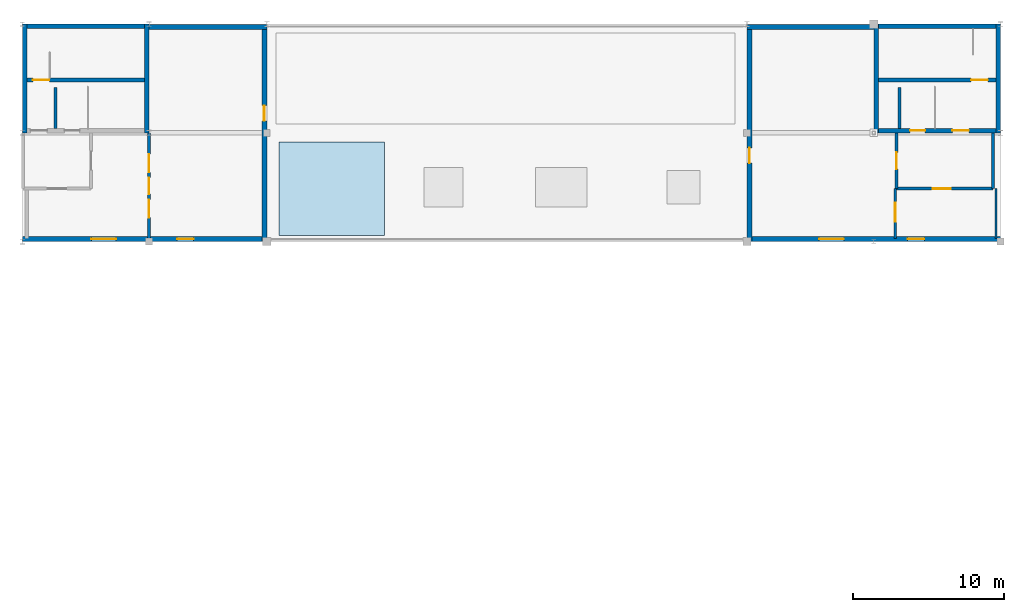
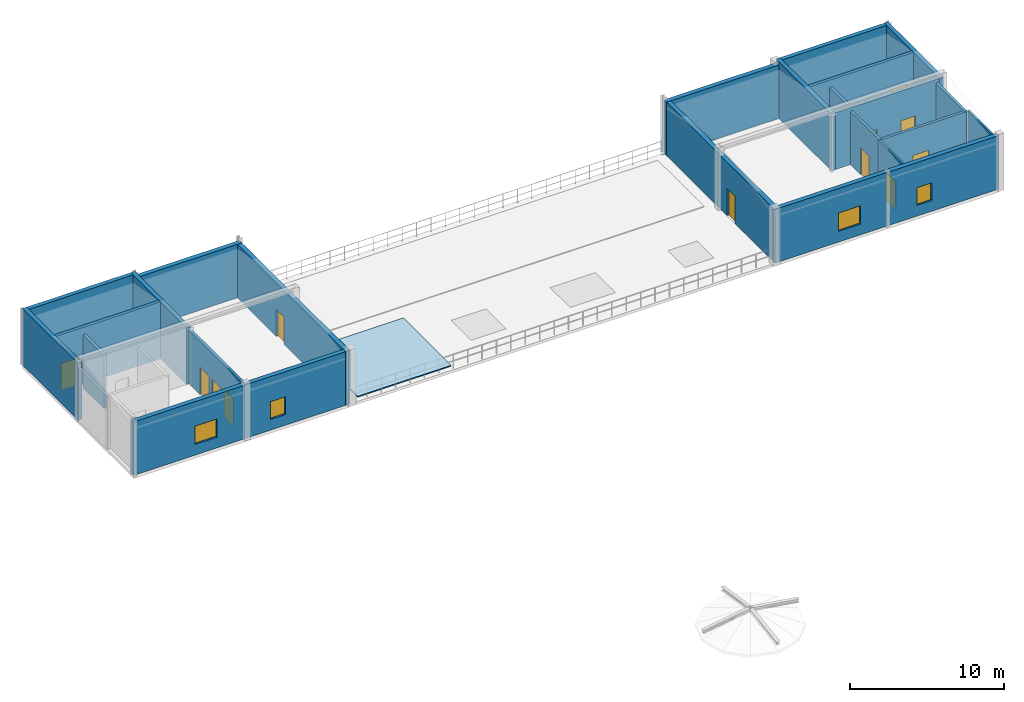
# One storey, part 4 of 5: 23 walls, 12 doors, 4 windows, 1 roof, 16 openings.
"""IFC4 building model written with IfcOpenShell, lengths in metres."""

from ifc_helpers import new_model, si_unit, derived_unit, direction, frame, frame_2d, origin, place, context, subcontext, project, spatial, polyline, rectangle, outline, extrude, material, layer, layer_set, type_object, element, fill, save


model = new_model("IFC4")

# Units and contexts
model_context = context("Model", 3, precision=1e-05, world=origin(), true_north=direction((0.0, 1.0)))
body_context = subcontext(model_context, "Body", "Model", "MODEL_VIEW")
ifc_project = project(units=[si_unit("LENGTHUNIT", "METRE"), si_unit("AREAUNIT", "SQUARE_METRE"), si_unit("VOLUMEUNIT", "CUBIC_METRE"), si_unit("PLANEANGLEUNIT", "RADIAN"), si_unit("MASSUNIT", "GRAM", prefix="KILO"), derived_unit("THERMALTRANSMITTANCEUNIT", [(si_unit("POWERUNIT", "WATT"), 1), (si_unit("AREAUNIT", "SQUARE_METRE"), -1), (si_unit("THERMODYNAMICTEMPERATUREUNIT", "KELVIN"), -1)])], contexts=[model_context])

# Site, building, storey
site_placement = place(None, origin())
site = spatial("IfcSite", under=ifc_project, at=site_placement, CompositionType="ELEMENT")
building_placement = place(site_placement, origin())
building = spatial("IfcBuilding", under=site, at=building_placement, Name="Yasenodar Specialist Clinic", CompositionType="ELEMENT")
storey_placement = place(building_placement, frame((0.0, 0.0, 29.39990234375)))
storey = spatial("IfcBuildingStorey", under=building, at=storey_placement, Name="RF", CompositionType="ELEMENT", Elevation=29.39990234375)

# Wall, opening, door
ifc_material_1 = material(Name="Chhatri Pavilion Insulated Cladding Wall")
ifc_layer_1 = layer(ifc_material_1, 0.330078125)
ifc_layer_set_1 = layer_set([ifc_layer_1], Name="Chhatri Pavilion Insulated Cladding Wall")
wall_type_1 = type_object("IfcWallType", Name="EW-PAV-330", PredefinedType="SOLIDWALL", material=ifc_layer_set_1)
wall_1_placement = place(storey_placement, frame((73.030029296875, 111.39990234375, 0.0), z_axis=(0.0, 0.0, 1.0), x_axis=(0.0, -1.0, 0.0)))
wall_1 = element("IfcWall", 1, at=wall_1_placement, inside=storey, type_object=wall_type_1, Name="RF Exterior Facade Wall 0195", PredefinedType="SOLIDWALL", context=body_context, shape_type="SweptSolid", body=[
    extrude(rectangle(XDim=14.199951171875, YDim=0.330078125, at=frame_2d((7.10009765625, 0.0))), origin(), (0.0, 0.0, 1.0), 4.239990234375),
])
opening_1_placement = place(wall_1_placement, frame((5.199951171875, 0.0, 0.0)))
opening_1 = element("IfcOpeningElement", 2, at=opening_1_placement, cuts=wall_1, Name="Opening RD-01", PredefinedType="OPENING", context=body_context, shape_type="SweptSolid", body=[
    extrude(rectangle(XDim=1.0, YDim=2.14990234375, at=frame_2d((0.5, 1.074951171875))), frame((0.0, 0.175048828125, 0.0), z_axis=(0.0, -1.0, 0.0), x_axis=(1.0, 0.0, 0.0)), (0.0, 0.0, 1.0), 0.35009765625),
])
ifc_material_2 = material(Name="Thermally Broken Bronze Anodized Aluminium and Laminated Glass", Category="aluminium")
door_type_1 = type_object("IfcDoorType", Name="DR-RF-100", OperationType="NOTDEFINED", PredefinedType="DOOR", material=ifc_material_2)
door_1_placement = place(opening_1_placement, origin())
door_1 = element("IfcDoor", 3, at=door_1_placement, inside=storey, type_object=door_type_1, Name="RF RF West Chhatri Roof Access Door", OperationType="SINGLE_SWING_LEFT", OverallHeight=2.14990234375, OverallWidth=1.0, PredefinedType="DOOR", context=body_context, shape_type="SweptSolid", body=[
    extrude(rectangle(XDim=1.0, YDim=2.14990234375, at=frame_2d((0.5, 1.074951171875))), frame((0.0, 0.02490234375, 0.0), z_axis=(0.0, -1.0, 0.0), x_axis=(1.0, 0.0, 0.0)), (0.0, 0.0, 1.0), 0.050048828125),
])
fill(opening_1, door_1)

# Wall, openings, windows
wall_2_placement = place(storey_placement, frame((73.199951171875, 97.3701171875, 0.0), z_axis=(0.0, 0.0, 1.0), x_axis=(-1.0, 0.0, 0.0)))
wall_2 = element("IfcWall", 4, at=wall_2_placement, inside=storey, type_object=wall_type_1, Name="RF Exterior Facade Wall 0196", PredefinedType="SOLIDWALL", context=body_context, shape_type="SweptSolid", body=[
    extrude(rectangle(XDim=16.199951171875, YDim=0.330078125, at=frame_2d((8.10009765625, 0.0))), origin(), (0.0, 0.0, 1.0), 4.239990234375),
])
opening_2_placement = place(wall_2_placement, frame((4.85009765625, 0.0, 0.85009765625)))
opening_2 = element("IfcOpeningElement", 5, at=opening_2_placement, cuts=wall_2, Name="Opening W-19", PredefinedType="OPENING", context=body_context, shape_type="SweptSolid", body=[
    extrude(rectangle(XDim=1.10009765625, YDim=1.39990234375, at=frame_2d((0.550048828125, 0.699951171875))), frame((0.0, 0.175048828125, 0.0), z_axis=(0.0, -1.0, 0.0), x_axis=(1.0, 0.0, 0.0)), (0.0, 0.0, 1.0), 0.35009765625),
])
opening_3_placement = place(wall_2_placement, frame((9.97509765625, 0.0, 0.85009765625)))
opening_3 = element("IfcOpeningElement", 6, at=opening_3_placement, cuts=wall_2, Name="Opening W-20", PredefinedType="OPENING", context=body_context, shape_type="SweptSolid", body=[
    extrude(rectangle(XDim=1.64990234375, YDim=1.449951171875, at=frame_2d((0.824951171875, 0.72509765625))), frame((0.0, 0.175048828125, 0.0), z_axis=(0.0, -1.0, 0.0), x_axis=(1.0, 0.0, 0.0)), (0.0, 0.0, 1.0), 0.35009765625),
])
ifc_material_3 = material(Name="Triple Low-E Argon Glazing in Bronze Aluminium Frame", Category="aluminium")
window_type_1 = type_object("IfcWindowType", Name="WIN-EXT-19", PartitioningType="SINGLE_PANEL", PredefinedType="WINDOW", material=ifc_material_3)
window_1_placement = place(opening_2_placement, origin())
window_1 = element("IfcWindow", 7, at=window_1_placement, inside=storey, type_object=window_type_1, Name="RF Triple-Glazed Reveal Window 0236", OverallHeight=1.39990234375, OverallWidth=1.10009765625, PartitioningType="SINGLE_PANEL", PredefinedType="WINDOW", context=body_context, shape_type="SweptSolid", body=[
    extrude(rectangle(XDim=1.10009765625, YDim=1.39990234375, at=frame_2d((0.550048828125, 0.699951171875))), frame((0.0, 0.030029296875, 0.0), z_axis=(0.0, -1.0, 0.0), x_axis=(1.0, 0.0, 0.0)), (0.0, 0.0, 1.0), 0.06005859375),
])
fill(opening_2, window_1)
window_type_2 = type_object("IfcWindowType", Name="WIN-EXT-20", PartitioningType="SINGLE_PANEL", PredefinedType="WINDOW", material=ifc_material_3)
window_2_placement = place(opening_3_placement, origin())
window_2 = element("IfcWindow", 8, at=window_2_placement, inside=storey, type_object=window_type_2, Name="RF Triple-Glazed Reveal Window 0237", OverallHeight=1.449951171875, OverallWidth=1.64990234375, PartitioningType="SINGLE_PANEL", PredefinedType="WINDOW", context=body_context, shape_type="SweptSolid", body=[
    extrude(rectangle(XDim=1.64990234375, YDim=1.449951171875, at=frame_2d((0.824951171875, 0.72509765625))), frame((0.0, 0.030029296875, 0.0), z_axis=(0.0, -1.0, 0.0), x_axis=(1.0, 0.0, 0.0)), (0.0, 0.0, 1.0), 0.06005859375),
])
fill(opening_3, window_2)

# Wall
wall_3_placement = place(storey_placement, frame((65.39990234375, 111.39990234375, 0.0), z_axis=(0.0, 0.0, 1.0), x_axis=(1.0, 0.0, 0.0)))
element("IfcWall", 9, at=wall_3_placement, inside=storey, type_object=wall_type_1, Name="RF Exterior Facade Wall 0197", PredefinedType="SOLIDWALL", context=body_context, shape_type="SweptSolid", body=[
    extrude(rectangle(XDim=7.800048828125, YDim=0.330078125, at=frame_2d((3.89990234375, 0.0))), origin(), (0.0, 0.0, 1.0), 4.239990234375),
])

# Wall, opening, door
wall_4_placement = place(storey_placement, frame((105.169921875, 97.199951171875, 0.0), z_axis=(0.0, 0.0, 1.0), x_axis=(0.0, 1.0, 0.0)))
wall_4 = element("IfcWall", 10, at=wall_4_placement, inside=storey, type_object=wall_type_1, Name="RF Exterior Facade Wall 0198", PredefinedType="SOLIDWALL", context=body_context, shape_type="SweptSolid", body=[
    extrude(rectangle(XDim=14.199951171875, YDim=0.330078125, at=frame_2d((7.10009765625, 0.0))), origin(), (0.0, 0.0, 1.0), 4.239990234375),
])
opening_4_placement = place(wall_4_placement, frame((5.199951171875, 0.0, 0.0)))
opening_4 = element("IfcOpeningElement", 11, at=opening_4_placement, cuts=wall_4, Name="Opening RD-01", PredefinedType="OPENING", context=body_context, shape_type="SweptSolid", body=[
    extrude(rectangle(XDim=1.0, YDim=2.14990234375, at=frame_2d((0.5, 1.074951171875))), frame((0.0, 0.175048828125, 0.0), z_axis=(0.0, -1.0, 0.0), x_axis=(1.0, 0.0, 0.0)), (0.0, 0.0, 1.0), 0.35009765625),
])
door_2_placement = place(opening_4_placement, origin())
door_2 = element("IfcDoor", 12, at=door_2_placement, inside=storey, type_object=door_type_1, Name="RF RF East Chhatri Roof Access Door", OperationType="SINGLE_SWING_RIGHT", OverallHeight=2.14990234375, OverallWidth=1.0, PredefinedType="DOOR", context=body_context, shape_type="SweptSolid", body=[
    extrude(rectangle(XDim=1.0, YDim=2.14990234375, at=frame_2d((0.5, 1.074951171875))), frame((0.0, 0.02490234375, 0.0), z_axis=(0.0, -1.0, 0.0), x_axis=(1.0, 0.0, 0.0)), (0.0, 0.0, 1.0), 0.050048828125),
])
fill(opening_4, door_2)

# Wall, openings, windows
wall_5_placement = place(storey_placement, frame((121.800048828125, 97.3701171875, 0.0), z_axis=(0.0, 0.0, 1.0), x_axis=(-1.0, 0.0, 0.0)))
wall_5 = element("IfcWall", 13, at=wall_5_placement, inside=storey, type_object=wall_type_1, Name="RF Exterior Facade Wall 0199", PredefinedType="SOLIDWALL", context=body_context, shape_type="SweptSolid", body=[
    extrude(rectangle(XDim=16.800048828125, YDim=0.330078125, at=frame_2d((8.39990234375, 0.0))), origin(), (0.0, 0.0, 1.0), 4.239990234375),
])
opening_5_placement = place(wall_5_placement, frame((5.050048828125, 0.0, 0.85009765625)))
opening_5 = element("IfcOpeningElement", 14, at=opening_5_placement, cuts=wall_5, Name="Opening W-19", PredefinedType="OPENING", context=body_context, shape_type="SweptSolid", body=[
    extrude(rectangle(XDim=1.10009765625, YDim=1.39990234375, at=frame_2d((0.550048828125, 0.699951171875))), frame((0.0, 0.175048828125, 0.0), z_axis=(0.0, -1.0, 0.0), x_axis=(1.0, 0.0, 0.0)), (0.0, 0.0, 1.0), 0.35009765625),
])
opening_6_placement = place(wall_5_placement, frame((10.375, 0.0, 0.85009765625)))
opening_6 = element("IfcOpeningElement", 15, at=opening_6_placement, cuts=wall_5, Name="Opening W-20", PredefinedType="OPENING", context=body_context, shape_type="SweptSolid", body=[
    extrude(rectangle(XDim=1.64990234375, YDim=1.449951171875, at=frame_2d((0.824951171875, 0.72509765625))), frame((0.0, 0.175048828125, 0.0), z_axis=(0.0, -1.0, 0.0), x_axis=(1.0, 0.0, 0.0)), (0.0, 0.0, 1.0), 0.35009765625),
])
window_3_placement = place(opening_5_placement, origin())
window_3 = element("IfcWindow", 16, at=window_3_placement, inside=storey, type_object=window_type_1, Name="RF Triple-Glazed Reveal Window 0238", OverallHeight=1.39990234375, OverallWidth=1.10009765625, PartitioningType="SINGLE_PANEL", PredefinedType="WINDOW", context=body_context, shape_type="SweptSolid", body=[
    extrude(rectangle(XDim=1.10009765625, YDim=1.39990234375, at=frame_2d((0.550048828125, 0.699951171875))), frame((0.0, 0.030029296875, 0.0), z_axis=(0.0, -1.0, 0.0), x_axis=(1.0, 0.0, 0.0)), (0.0, 0.0, 1.0), 0.06005859375),
])
fill(opening_5, window_3)
window_4_placement = place(opening_6_placement, origin())
window_4 = element("IfcWindow", 17, at=window_4_placement, inside=storey, type_object=window_type_2, Name="RF Triple-Glazed Reveal Window 0239", OverallHeight=1.449951171875, OverallWidth=1.64990234375, PartitioningType="SINGLE_PANEL", PredefinedType="WINDOW", context=body_context, shape_type="SweptSolid", body=[
    extrude(rectangle(XDim=1.64990234375, YDim=1.449951171875, at=frame_2d((0.824951171875, 0.72509765625))), frame((0.0, 0.030029296875, 0.0), z_axis=(0.0, -1.0, 0.0), x_axis=(1.0, 0.0, 0.0)), (0.0, 0.0, 1.0), 0.06005859375),
])
fill(opening_6, window_4)

# Wall
wall_6_placement = place(storey_placement, frame((105.0, 111.39990234375, 0.0), z_axis=(0.0, 0.0, 1.0), x_axis=(1.0, 0.0, 0.0)))
element("IfcWall", 18, at=wall_6_placement, inside=storey, type_object=wall_type_1, Name="RF Exterior Facade Wall 0200", PredefinedType="SOLIDWALL", context=body_context, shape_type="SweptSolid", body=[
    extrude(rectangle(XDim=8.39990234375, YDim=0.330078125, at=frame_2d((4.199951171875, 0.0))), origin(), (0.0, 0.0, 1.0), 4.239990234375),
])

# Wall, opening, door
ifc_material_4 = material(Name="Outpatient Examination Partition")
ifc_layer_2 = layer(ifc_material_4, 0.14990234375)
ifc_layer_set_2 = layer_set([ifc_layer_2], Name="Outpatient Examination Partition")
wall_type_2 = type_object("IfcWallType", Name="IW-CONS-150", PredefinedType="PARTITIONING", material=ifc_layer_set_2)
wall_7_placement = place(storey_placement, frame((114.820068359375, 97.39990234375, 0.0), z_axis=(0.0, 0.0, 1.0), x_axis=(0.0, 1.0, 0.0)))
wall_7 = element("IfcWall", 19, at=wall_7_placement, inside=storey, type_object=wall_type_2, Name="RF Building Telemetry Control Room Partition", PredefinedType="PARTITIONING", context=body_context, shape_type="SweptSolid", body=[
    extrude(rectangle(XDim=3.300048828125, YDim=0.14990234375, at=frame_2d((1.64990234375, 0.0))), origin(), (0.0, 0.0, 1.0), 4.22998046875),
])
opening_7_placement = place(wall_7_placement, frame((1.10009765625, 0.0, 0.0)))
opening_7 = element("IfcOpeningElement", 20, at=opening_7_placement, cuts=wall_7, Name="Opening D-08", PredefinedType="OPENING", context=body_context, shape_type="SweptSolid", body=[
    extrude(rectangle(XDim=1.280029296875, YDim=2.219970703125, at=frame_2d((0.64013671875, 1.10986328125))), frame((0.0, 0.0849609375, 0.0), z_axis=(0.0, -1.0, 0.0), x_axis=(1.0, 0.0, 0.0)), (0.0, 0.0, 1.0), 0.169921875),
])
ifc_material_5 = material(Name="Powder-Coated Steel and Acoustic Laminate Leaf", Category="steel")
door_type_2 = type_object("IfcDoorType", Name="DR-CLN-128", OperationType="NOTDEFINED", PredefinedType="DOOR", material=ifc_material_5)
door_3_placement = place(opening_7_placement, origin())
door_3 = element("IfcDoor", 21, at=door_3_placement, inside=storey, type_object=door_type_2, Name="RF Building Telemetry Control Room Door", OperationType="SINGLE_SWING_LEFT", OverallHeight=2.219970703125, OverallWidth=1.280029296875, PredefinedType="DOOR", context=body_context, shape_type="SweptSolid", body=[
    extrude(rectangle(XDim=1.280029296875, YDim=2.219970703125, at=frame_2d((0.64013671875, 1.10986328125))), frame((0.0, 0.02490234375, 0.0), z_axis=(0.0, -1.0, 0.0), x_axis=(1.0, 0.0, 0.0)), (0.0, 0.0, 1.0), 0.050048828125),
])
fill(opening_7, door_3)

# Wall
wall_8_placement = place(storey_placement, frame((121.5, 100.699951171875, 0.0), z_axis=(0.0, 0.0, 1.0), x_axis=(0.0, -1.0, 0.0)))
element("IfcWall", 22, at=wall_8_placement, inside=storey, type_object=wall_type_2, Name="RF Building Telemetry Control Room Partition", PredefinedType="PARTITIONING", context=body_context, shape_type="SweptSolid", body=[
    extrude(rectangle(XDim=3.300048828125, YDim=0.14990234375, at=frame_2d((1.64990234375, 0.0))), origin(), (0.0, 0.0, 1.0), 4.22998046875),
])

# Wall, opening, door
ifc_material_6 = material(Name="Fire-Rated Gypsum and Mineral-Wool Wall")
ifc_layer_3 = layer(ifc_material_6, 0.195068359375)
ifc_layer_set_3 = layer_set([ifc_layer_3], Name="Fire-Rated Gypsum and Mineral-Wool Wall")
wall_type_3 = type_object("IfcWallType", Name="IW-LOBBY-195", PredefinedType="PARTITIONING", material=ifc_layer_set_3)
wall_9_placement = place(storey_placement, frame((114.89990234375, 100.699951171875, 0.0), z_axis=(0.0, 0.0, 1.0), x_axis=(1.0, 0.0, 0.0)))
wall_9 = element("IfcWall", 23, at=wall_9_placement, inside=storey, type_object=wall_type_3, Name="RF C5 Firefighting Lobby South Wall", PredefinedType="PARTITIONING", context=body_context, shape_type="SweptSolid", body=[
    extrude(rectangle(XDim=6.400146484375, YDim=0.195068359375, at=frame_2d((3.2001953125, 0.0))), origin(), (0.0, 0.0, 1.0), 4.22998046875),
])
opening_8_placement = place(wall_9_placement, frame((2.39990234375, 0.0, 0.0)))
opening_8 = element("IfcOpeningElement", 24, at=opening_8_placement, cuts=wall_9, Name="Opening FD-02", PredefinedType="OPENING", context=body_context, shape_type="SweptSolid", body=[
    extrude(rectangle(XDim=1.199951171875, YDim=2.14990234375, at=frame_2d((0.60009765625, 1.074951171875))), frame((0.0, 0.107421875, 0.0), z_axis=(0.0, -1.0, 0.0), x_axis=(1.0, 0.0, 0.0)), (0.0, 0.0, 1.0), 0.215087890625),
])
ifc_material_7 = material(Name="Fire-Rated Insulated Steel Door", Category="steel")
door_type_3 = type_object("IfcDoorType", Name="DR-FD-120", OperationType="NOTDEFINED", PredefinedType="DOOR", material=ifc_material_7)
door_4_placement = place(opening_8_placement, origin())
door_4 = element("IfcDoor", 25, at=door_4_placement, inside=storey, type_object=door_type_3, Name="RF C5 Firefighting Lobby Door", OperationType="SINGLE_SWING_LEFT", OverallHeight=2.14990234375, OverallWidth=1.199951171875, PredefinedType="DOOR", context=body_context, shape_type="SweptSolid", body=[
    extrude(rectangle(XDim=1.199951171875, YDim=2.14990234375, at=frame_2d((0.60009765625, 1.074951171875))), frame((0.0, 0.02490234375, 0.0), z_axis=(0.0, -1.0, 0.0), x_axis=(1.0, 0.0, 0.0)), (0.0, 0.0, 1.0), 0.050048828125),
])
fill(opening_8, door_4)

# Wall
wall_10_placement = place(storey_placement, frame((121.300048828125, 100.699951171875, 0.0), z_axis=(0.0, 0.0, 1.0), x_axis=(0.0, 1.0, 0.0)))
element("IfcWall", 26, at=wall_10_placement, inside=storey, type_object=wall_type_3, Name="RF C5 Firefighting Lobby East Wall", PredefinedType="PARTITIONING", context=body_context, shape_type="SweptSolid", body=[
    extrude(rectangle(XDim=3.699951171875, YDim=0.195068359375, at=frame_2d((1.85009765625, 0.0))), origin(), (0.0, 0.0, 1.0), 4.22998046875),
])

# Wall, opening, door
wall_11_placement = place(storey_placement, frame((114.89990234375, 100.699951171875, 0.0), z_axis=(0.0, 0.0, 1.0), x_axis=(0.0, 1.0, 0.0)))
wall_11 = element("IfcWall", 27, at=wall_11_placement, inside=storey, type_object=wall_type_3, Name="RF C5 Firefighting Lobby West Wall", PredefinedType="PARTITIONING", context=body_context, shape_type="SweptSolid", body=[
    extrude(rectangle(XDim=3.699951171875, YDim=0.195068359375, at=frame_2d((1.85009765625, 0.0))), origin(), (0.0, 0.0, 1.0), 4.22998046875),
])
opening_9_placement = place(wall_11_placement, frame((1.300048828125, 0.0, 0.0)))
opening_9 = element("IfcOpeningElement", 28, at=opening_9_placement, cuts=wall_11, Name="Opening FD-01", PredefinedType="OPENING", context=body_context, shape_type="SweptSolid", body=[
    extrude(rectangle(XDim=1.10009765625, YDim=2.14990234375, at=frame_2d((0.550048828125, 1.074951171875))), frame((0.0, 0.107421875, 0.0), z_axis=(0.0, -1.0, 0.0), x_axis=(1.0, 0.0, 0.0)), (0.0, 0.0, 1.0), 0.215087890625),
])
door_type_4 = type_object("IfcDoorType", Name="DR-FD-110", OperationType="NOTDEFINED", PredefinedType="DOOR", material=ifc_material_7)
door_5_placement = place(opening_9_placement, origin())
door_5 = element("IfcDoor", 29, at=door_5_placement, inside=storey, type_object=door_type_4, Name="RF RF Vacuum Plant Room Door", OperationType="SINGLE_SWING_RIGHT", OverallHeight=2.14990234375, OverallWidth=1.10009765625, PredefinedType="DOOR", context=body_context, shape_type="SweptSolid", body=[
    extrude(rectangle(XDim=1.10009765625, YDim=2.14990234375, at=frame_2d((0.550048828125, 1.074951171875))), frame((0.0, 0.02490234375, 0.0), z_axis=(0.0, -1.0, 0.0), x_axis=(1.0, 0.0, 0.0)), (0.0, 0.0, 1.0), 0.050048828125),
])
fill(opening_9, door_5)

# Walls
ifc_material_8 = material(Name="Aerated Concrete Blockwork Fire Shaft Wall", Category="masonry")
ifc_layer_4 = layer(ifc_material_8, 0.205078125)
ifc_layer_set_4 = layer_set([ifc_layer_4], Name="Aerated Concrete Blockwork Fire Shaft Wall")
wall_type_4 = type_object("IfcWallType", Name="IW-SHAFT-205", PredefinedType="PARTITIONING", material=ifc_layer_set_4)
for number, where, z_axis, x_axis, name in (
    (30, (59.199951171875, 104.699951171875, 0.0), (0.0, 0.0, 1.0), (0.0, 1.0, 0.0), "RF LF-02 Lift Shaft Side Wall"),
    (31, (115.10009765625, 104.699951171875, 0.0), (0.0, 0.0, 1.0), (0.0, 1.0, 0.0), "RF LF-08 Lift Shaft Side Wall"),
):
    element("IfcWall", number, at=place(storey_placement, frame(where, z_axis=z_axis, x_axis=x_axis)), inside=storey, type_object=wall_type_4, Name=name, PredefinedType="PARTITIONING", context=body_context, shape_type="SweptSolid", body=[
        extrude(rectangle(XDim=2.699951171875, YDim=0.205078125, at=frame_2d((1.35009765625, 0.0))), origin(), (0.0, 0.0, 1.0), 4.22998046875),
    ])

# Wall, openings, doors
wall_12_placement = place(storey_placement, frame((65.39990234375, 97.3701171875, 0.0), z_axis=(0.0, 0.0, 1.0), x_axis=(0.0, 1.0, 0.0)))
wall_12 = element("IfcWall", 32, at=wall_12_placement, inside=storey, type_object=wall_type_4, Name="RF RF Plant Compartment Wall", PredefinedType="PARTITIONING", context=body_context, shape_type="SweptSolid", body=[
    extrude(rectangle(XDim=7.02978515625, YDim=0.205078125, at=frame_2d((3.514892578125, 0.0))), origin(), (0.0, 0.0, 1.0), 4.22998046875),
])
opening_10_placement = place(wall_12_placement, frame((2.965087890625, 0.0, 0.0)))
opening_10 = element("IfcOpeningElement", 33, at=opening_10_placement, cuts=wall_12, Name="Opening FD-01", PredefinedType="OPENING", context=body_context, shape_type="SweptSolid", body=[
    extrude(rectangle(XDim=1.10009765625, YDim=2.14990234375, at=frame_2d((0.550048828125, 1.074951171875))), frame((0.0, 0.112548828125, 0.0), z_axis=(0.0, -1.0, 0.0), x_axis=(1.0, 0.0, 0.0)), (0.0, 0.0, 1.0), 0.22509765625),
])
opening_11_placement = place(wall_12_placement, frame((4.4150390625, 0.0, 0.0)))
opening_11 = element("IfcOpeningElement", 34, at=opening_11_placement, cuts=wall_12, Name="Opening FD-02", PredefinedType="OPENING", context=body_context, shape_type="SweptSolid", body=[
    extrude(rectangle(XDim=1.199951171875, YDim=2.14990234375, at=frame_2d((0.60009765625, 1.074951171875))), frame((0.0, 0.112548828125, 0.0), z_axis=(0.0, -1.0, 0.0), x_axis=(1.0, 0.0, 0.0)), (0.0, 0.0, 1.0), 0.22509765625),
])
opening_12_placement = place(wall_12_placement, frame((1.4150390625, 0.0, 0.0)))
opening_12 = element("IfcOpeningElement", 35, at=opening_12_placement, cuts=wall_12, Name="Opening FD-02", PredefinedType="OPENING", context=body_context, shape_type="SweptSolid", body=[
    extrude(rectangle(XDim=1.199951171875, YDim=2.14990234375, at=frame_2d((0.60009765625, 1.074951171875))), frame((0.0, 0.112548828125, 0.0), z_axis=(0.0, -1.0, 0.0), x_axis=(1.0, 0.0, 0.0)), (0.0, 0.0, 1.0), 0.22509765625),
])
door_6_placement = place(opening_10_placement, origin())
door_6 = element("IfcDoor", 36, at=door_6_placement, inside=storey, type_object=door_type_4, Name="RF RF AHU Plant Room Door", OperationType="SINGLE_SWING_LEFT", OverallHeight=2.14990234375, OverallWidth=1.10009765625, PredefinedType="DOOR", context=body_context, shape_type="SweptSolid", body=[
    extrude(rectangle(XDim=1.10009765625, YDim=2.14990234375, at=frame_2d((0.550048828125, 1.074951171875))), frame((0.0, 0.02490234375, 0.0), z_axis=(0.0, -1.0, 0.0), x_axis=(1.0, 0.0, 0.0)), (0.0, 0.0, 1.0), 0.050048828125),
])
fill(opening_10, door_6)
door_7_placement = place(opening_11_placement, origin())
door_7 = element("IfcDoor", 37, at=door_7_placement, inside=storey, type_object=door_type_3, Name="RF Heat-Recovery AHU Plant Room Door", OperationType="SINGLE_SWING_RIGHT", OverallHeight=2.14990234375, OverallWidth=1.199951171875, PredefinedType="DOOR", context=body_context, shape_type="SweptSolid", body=[
    extrude(rectangle(XDim=1.199951171875, YDim=2.14990234375, at=frame_2d((0.60009765625, 1.074951171875))), frame((0.0, 0.02490234375, 0.0), z_axis=(0.0, -1.0, 0.0), x_axis=(1.0, 0.0, 0.0)), (0.0, 0.0, 1.0), 0.050048828125),
])
fill(opening_11, door_7)
door_8_placement = place(opening_12_placement, origin())
door_8 = element("IfcDoor", 38, at=door_8_placement, inside=storey, type_object=door_type_3, Name="RF Smoke Extract Fan Room Door", OperationType="SINGLE_SWING_LEFT", OverallHeight=2.14990234375, OverallWidth=1.199951171875, PredefinedType="DOOR", context=body_context, shape_type="SweptSolid", body=[
    extrude(rectangle(XDim=1.199951171875, YDim=2.14990234375, at=frame_2d((0.60009765625, 1.074951171875))), frame((0.0, 0.02490234375, 0.0), z_axis=(0.0, -1.0, 0.0), x_axis=(1.0, 0.0, 0.0)), (0.0, 0.0, 1.0), 0.050048828125),
])
fill(opening_12, door_8)

# Wall, opening, door
ifc_material_9 = material(Name="Concrete C35/45", Category="concrete")
ifc_layer_5 = layer(ifc_material_9, 0.25)
ifc_layer_set_5 = layer_set([ifc_layer_5], Name="Concrete C35/45")
wall_type_5 = type_object("IfcWallType", Name="WL-CORE-250", PredefinedType="SHEAR", material=ifc_layer_set_5)
wall_13_placement = place(storey_placement, frame((57.300048828125, 107.89990234375, 0.0), z_axis=(0.0, 0.0, 1.0), x_axis=(1.0, 0.0, 0.0)))
wall_13 = element("IfcWall", 39, at=wall_13_placement, inside=storey, type_object=wall_type_5, Name="RF Core C4 Central Spine Wall", PredefinedType="SHEAR", context=body_context, shape_type="SweptSolid", body=[
    extrude(rectangle(XDim=7.800048828125, YDim=0.25, at=frame_2d((3.89990234375, 0.0))), origin(), (0.0, 0.0, 1.0), 4.5),
])
opening_13_placement = place(wall_13_placement, frame((0.39990234375, 0.0, 0.0)))
opening_13 = element("IfcOpeningElement", 40, at=opening_13_placement, cuts=wall_13, Name="Opening FD-01", PredefinedType="OPENING", context=body_context, shape_type="SweptSolid", body=[
    extrude(rectangle(XDim=1.10009765625, YDim=2.14990234375, at=frame_2d((0.550048828125, 1.074951171875))), frame((0.0, 0.135009765625, 0.0), z_axis=(0.0, -1.0, 0.0), x_axis=(1.0, 0.0, 0.0)), (0.0, 0.0, 1.0), 0.27001953125),
])
door_9_placement = place(opening_13_placement, origin())
door_9 = element("IfcDoor", 41, at=door_9_placement, inside=storey, type_object=door_type_4, Name="RF ST-04 Protected Stair Door", OperationType="SINGLE_SWING_RIGHT", OverallHeight=2.14990234375, OverallWidth=1.10009765625, PredefinedType="DOOR", context=body_context, shape_type="SweptSolid", body=[
    extrude(rectangle(XDim=1.10009765625, YDim=2.14990234375, at=frame_2d((0.550048828125, 1.074951171875))), frame((0.0, 0.02490234375, 0.0), z_axis=(0.0, -1.0, 0.0), x_axis=(1.0, 0.0, 0.0)), (0.0, 0.0, 1.0), 0.050048828125),
])
fill(opening_13, door_9)

wall_14_placement = place(storey_placement, frame((113.699951171875, 107.89990234375, 0.0), z_axis=(0.0, 0.0, 1.0), x_axis=(1.0, 0.0, 0.0)))
wall_14 = element("IfcWall", 42, at=wall_14_placement, inside=storey, type_object=wall_type_5, Name="RF Core C5 Central Spine Wall", PredefinedType="SHEAR", context=body_context, shape_type="SweptSolid", body=[
    extrude(rectangle(XDim=7.800048828125, YDim=0.25, at=frame_2d((3.89990234375, 0.0))), origin(), (0.0, 0.0, 1.0), 4.5),
])
opening_14_placement = place(wall_14_placement, frame((6.14990234375, 0.0, 0.0)))
opening_14 = element("IfcOpeningElement", 43, at=opening_14_placement, cuts=wall_14, Name="Opening FD-01", PredefinedType="OPENING", context=body_context, shape_type="SweptSolid", body=[
    extrude(rectangle(XDim=1.10009765625, YDim=2.14990234375, at=frame_2d((0.550048828125, 1.074951171875))), frame((0.0, 0.135009765625, 0.0), z_axis=(0.0, -1.0, 0.0), x_axis=(1.0, 0.0, 0.0)), (0.0, 0.0, 1.0), 0.27001953125),
])
door_10_placement = place(opening_14_placement, origin())
door_10 = element("IfcDoor", 44, at=door_10_placement, inside=storey, type_object=door_type_4, Name="RF ST-05 Protected Stair Door", OperationType="SINGLE_SWING_LEFT", OverallHeight=2.14990234375, OverallWidth=1.10009765625, PredefinedType="DOOR", context=body_context, shape_type="SweptSolid", body=[
    extrude(rectangle(XDim=1.10009765625, YDim=2.14990234375, at=frame_2d((0.550048828125, 1.074951171875))), frame((0.0, 0.02490234375, 0.0), z_axis=(0.0, -1.0, 0.0), x_axis=(1.0, 0.0, 0.0)), (0.0, 0.0, 1.0), 0.050048828125),
])
fill(opening_14, door_10)

# Walls
ifc_layer_6 = layer(ifc_material_9, 0.300048828125)
ifc_layer_set_6 = layer_set([ifc_layer_6], Name="Concrete C35/45")
wall_type_6 = type_object("IfcWallType", Name="WL-CORE-300", PredefinedType="SHEAR", material=ifc_layer_set_6)
wall_15_placement = place(storey_placement, frame((57.0, 111.449951171875, 0.0), z_axis=(0.0, 0.0, 1.0), x_axis=(1.0, 0.0, 0.0)))
element("IfcWall", 45, at=wall_15_placement, inside=storey, type_object=wall_type_6, Name="RF Core C4 North Shear Wall", PredefinedType="SHEAR", context=body_context, shape_type="SweptSolid", body=[
    extrude(rectangle(XDim=8.39990234375, YDim=0.300048828125, at=frame_2d((4.199951171875, 0.0))), origin(), (0.0, 0.0, 1.0), 4.5),
])
for number, where, z_axis, x_axis, name in (
    (46, (57.14990234375, 104.39990234375, 0.0), (0.0, 0.0, 1.0), (0.0, 1.0, 0.0), "RF Core C4 West Shear Wall"),
    (47, (65.25, 104.39990234375, 0.0), (0.0, 0.0, 1.0), (0.0, 1.0, 0.0), "RF Core C4 East Shear Wall"),
):
    element("IfcWall", number, at=place(storey_placement, frame(where, z_axis=z_axis, x_axis=x_axis)), inside=storey, type_object=wall_type_6, Name=name, PredefinedType="SHEAR", context=body_context, shape_type="SweptSolid", body=[
        extrude(rectangle(XDim=7.2001953125, YDim=0.300048828125, at=frame_2d((3.60009765625, 0.0))), origin(), (0.0, 0.0, 1.0), 4.5),
    ])
wall_16_placement = place(storey_placement, frame((113.39990234375, 111.449951171875, 0.0), z_axis=(0.0, 0.0, 1.0), x_axis=(1.0, 0.0, 0.0)))
element("IfcWall", 48, at=wall_16_placement, inside=storey, type_object=wall_type_6, Name="RF Core C5 North Shear Wall", PredefinedType="SHEAR", context=body_context, shape_type="SweptSolid", body=[
    extrude(rectangle(XDim=8.400146484375, YDim=0.300048828125, at=frame_2d((4.2001953125, 0.0))), origin(), (0.0, 0.0, 1.0), 4.5),
])

# Wall, openings, doors
wall_17_placement = place(storey_placement, frame((113.39990234375, 104.550048828125, 0.0), z_axis=(0.0, 0.0, 1.0), x_axis=(1.0, 0.0, 0.0)))
wall_17 = element("IfcWall", 49, at=wall_17_placement, inside=storey, type_object=wall_type_6, Name="RF Core C5 South Shear Wall", PredefinedType="SHEAR", context=body_context, shape_type="SweptSolid", body=[
    extrude(rectangle(XDim=8.400146484375, YDim=0.300048828125, at=frame_2d((4.2001953125, 0.0))), origin(), (0.0, 0.0, 1.0), 4.5),
])
opening_15_placement = place(wall_17_placement, frame((5.199951171875, 0.0, 0.0)))
opening_15 = element("IfcOpeningElement", 50, at=opening_15_placement, cuts=wall_17, Name="Opening FD-01", PredefinedType="OPENING", context=body_context, shape_type="SweptSolid", body=[
    extrude(rectangle(XDim=1.10009765625, YDim=2.14990234375, at=frame_2d((0.550048828125, 1.074951171875))), frame((0.0, 0.16015625, 0.0), z_axis=(0.0, -1.0, 0.0), x_axis=(1.0, 0.0, 0.0)), (0.0, 0.0, 1.0), 0.320068359375),
])
opening_16_placement = place(wall_17_placement, frame((2.39990234375, 0.0, 0.0)))
opening_16 = element("IfcOpeningElement", 51, at=opening_16_placement, cuts=wall_17, Name="Opening LD-01", PredefinedType="OPENING", context=body_context, shape_type="SweptSolid", body=[
    extrude(rectangle(XDim=1.0, YDim=2.10009765625, at=frame_2d((0.5, 1.050048828125))), frame((0.0, 0.16015625, 0.0), z_axis=(0.0, -1.0, 0.0), x_axis=(1.0, 0.0, 0.0)), (0.0, 0.0, 1.0), 0.320068359375),
])
door_11_placement = place(opening_15_placement, origin())
door_11 = element("IfcDoor", 52, at=door_11_placement, inside=storey, type_object=door_type_4, Name="RF Stair ST-05 Vestibule Door", OperationType="SINGLE_SWING_RIGHT", OverallHeight=2.14990234375, OverallWidth=1.10009765625, PredefinedType="DOOR", context=body_context, shape_type="SweptSolid", body=[
    extrude(rectangle(XDim=1.10009765625, YDim=2.14990234375, at=frame_2d((0.550048828125, 1.074951171875))), frame((0.0, 0.02490234375, 0.0), z_axis=(0.0, -1.0, 0.0), x_axis=(1.0, 0.0, 0.0)), (0.0, 0.0, 1.0), 0.050048828125),
])
fill(opening_15, door_11)
door_type_5 = type_object("IfcDoorType", Name="DR-LD-100", OperationType="DOUBLE_DOOR_SLIDING", PredefinedType="DOOR", material=ifc_material_7)
door_12_placement = place(opening_16_placement, origin())
door_12 = element("IfcDoor", 53, at=door_12_placement, inside=storey, type_object=door_type_5, Name="RF LF-08 Lift Landing Door", OperationType="DOUBLE_DOOR_SLIDING", OverallHeight=2.10009765625, OverallWidth=1.0, PredefinedType="DOOR", context=body_context, shape_type="SweptSolid", body=[
    extrude(rectangle(XDim=1.0, YDim=2.10009765625, at=frame_2d((0.5, 1.050048828125))), frame((0.0, 0.02490234375, 0.0), z_axis=(0.0, -1.0, 0.0), x_axis=(1.0, 0.0, 0.0)), (0.0, 0.0, 1.0), 0.050048828125),
])
fill(opening_16, door_12)

# Walls
for number, where, z_axis, x_axis, name in (
    (54, (113.550048828125, 104.39990234375, 0.0), (0.0, 0.0, 1.0), (0.0, 1.0, 0.0), "RF Core C5 West Shear Wall"),
    (55, (121.64990234375, 111.60009765625, 0.0), (0.0, 0.0, 1.0), (0.0, -1.0, 0.0), "RF Core C5 East Shear Wall"),
):
    element("IfcWall", number, at=place(storey_placement, frame(where, z_axis=z_axis, x_axis=x_axis)), inside=storey, type_object=wall_type_6, Name=name, PredefinedType="SHEAR", context=body_context, shape_type="SweptSolid", body=[
        extrude(rectangle(XDim=7.2001953125, YDim=0.300048828125, at=frame_2d((3.60009765625, 0.0))), origin(), (0.0, 0.0, 1.0), 4.5),
    ])

# Roof
ifc_material_10 = material(Name="Standing-Seam Zinc and Steel S355", Category="steel")
roof_type = type_object("IfcRoofType", Name="RF-PAVILION", PredefinedType="PAVILION_ROOF", material=ifc_material_10)
roof_placement = place(storey_placement, origin())
element("IfcRoof", 56, at=roof_placement, inside=storey, type_object=roof_type, Name="Research Deck Canopy Roof Cap", PredefinedType="PAVILION_ROOF", context=body_context, shape_type="SweptSolid", body=[
    extrude(outline(polyline([(74.0, 97.60009765625), (81.0, 97.60009765625), (81.0, 103.800048828125), (74.0, 103.800048828125), (74.0, 97.60009765625)])), origin(), (0.0, 0.0, 1.0), 0.080078125),
])

save(model, "model.ifc")
